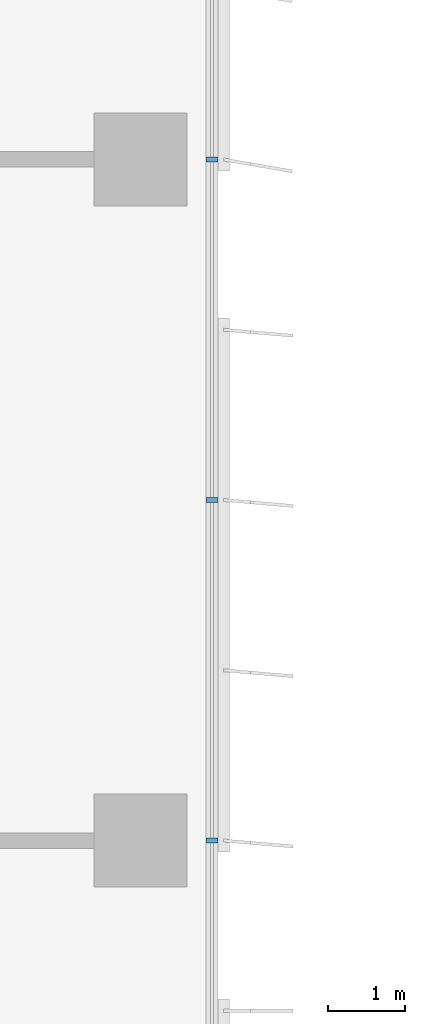
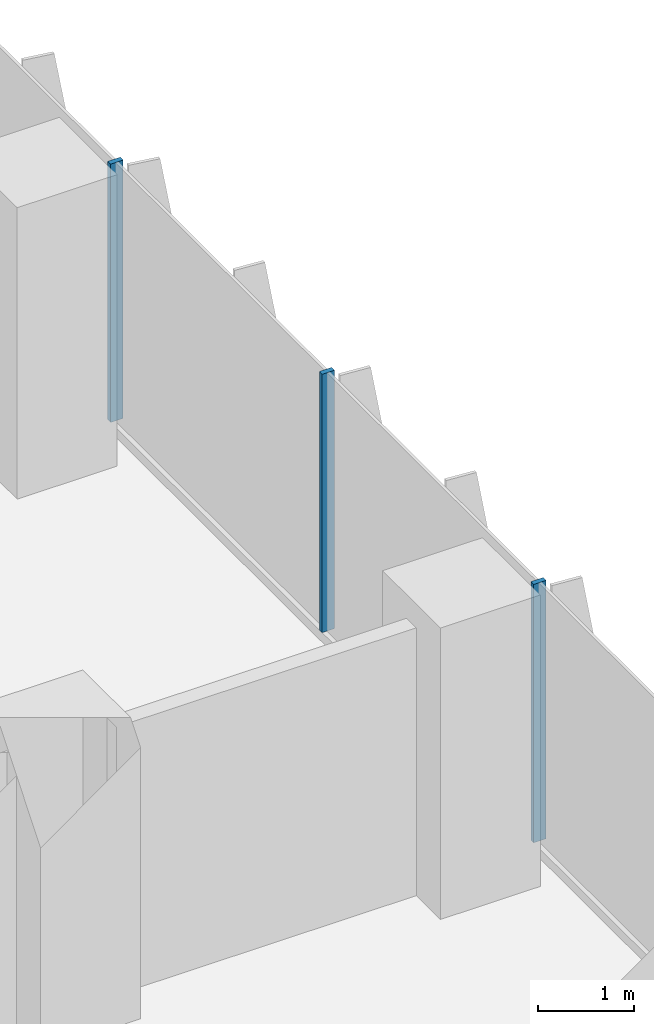
# One storey, part 7 of 23: 3 members, 1 element without a shape of its own.
"""IFC4 building model written with IfcOpenShell, lengths in metres."""

from ifc_helpers import new_model, si_unit, direction, frame, origin, origin_2d, place, context, subcontext, project, spatial, rectangle, extrude, source, transform, mapped, material, material_profile, profile_set, type_object, element, aggregate, save


model = new_model("IFC4")

# Units and contexts
model_context = context("Model", 3, precision=1e-05, world=origin(), true_north=direction((0.0, 1.0)))
body_context = subcontext(model_context, "Body", "Model", "MODEL_VIEW")
ifc_project = project(units=[si_unit("LENGTHUNIT", "METRE"), si_unit("AREAUNIT", "SQUARE_METRE"), si_unit("VOLUMEUNIT", "CUBIC_METRE"), si_unit("PLANEANGLEUNIT", "RADIAN"), si_unit("MASSUNIT", "GRAM", prefix="KILO")], contexts=[model_context])

# Site, building, storey
site_placement = place(None, origin())
site = spatial("IfcSite", under=ifc_project, at=site_placement, CompositionType="ELEMENT")
building_placement = place(site_placement, origin())
building = spatial("IfcBuilding", under=site, at=building_placement, Name="Kemantara Hotel Tower", CompositionType="ELEMENT")
storey_placement = place(building_placement, frame((0.0, 0.0, 114.800048828125)))
storey = spatial("IfcBuildingStorey", under=building, at=storey_placement, Name="L27", CompositionType="ELEMENT", Elevation=114.800048828125)

# Curtain wall, members
ifc_material_1 = material(Name="Low-E tinted double insulated glass 36 mm", Category="glass")
curtain_wall_type = type_object("IfcCurtainWallType", Name="TOWER CURTAIN WALL, FRONT FACES", PredefinedType="USERDEFINED", material=ifc_material_1)
curtain_wall_placement = place(storey_placement, origin())
curtain_wall = element("IfcCurtainWall", 1, at=curtain_wall_placement, inside=storey, type_object=curtain_wall_type, Name="CW4 L27 T2-R14-1", ObjectType="TOWER CURTAIN WALL, FRONT FACES", PredefinedType="USERDEFINED")
ifc_material_2 = material(Name="Aluminium 6063-T6 bronze anodised", Category="aluminium")
ifc_material_profile = material_profile(ifc_material_2, rectangle(XDim=0.14990234375, YDim=0.06005859375, at=origin_2d()), Name="TOWER CURTAIN WALL, FRONT FACES MULLION")
ifc_profile_set = profile_set([ifc_material_profile], Name="Aluminium 6063-T6 bronze anodised")
member_type = type_object("IfcMemberType", Name="TOWER CURTAIN WALL, FRONT FACES MULLION", PredefinedType="MULLION", material=ifc_profile_set)
shared_shape = source(origin(), body_context, "Body", "SweptSolid", [
    extrude(rectangle(XDim=0.14990234375, YDim=0.06005859375, at=origin_2d()), origin(), (0.0, 0.0, 1.0), 3.280029296875),
])
member_1_placement = place(storey_placement, frame((26.72509765625, 53.800048828125, 0.119873046875), z_axis=(0.0, 0.0, 1.0), x_axis=(-1.0, 0.0, 0.0)))
member_1 = element("IfcMember", 2, at=member_1_placement, type_object=member_type, Name="CW4 mullion T2-R14-1.9", PredefinedType="MULLION", context=body_context, shape_type="MappedRepresentation", body=[
    mapped(shared_shape, transform((0.0, 0.0, 0.0))),
])
member_2_placement = place(storey_placement, frame((26.72509765625, 58.199951171875, 0.119873046875), z_axis=(0.0, 0.0, 1.0), x_axis=(-1.0, 0.0, 0.0)))
member_2 = element("IfcMember", 3, at=member_2_placement, type_object=member_type, Name="CW4 mullion T2-R14-1.10", PredefinedType="MULLION", context=body_context, shape_type="MappedRepresentation", body=[
    mapped(shared_shape, transform((0.0, 0.0, 0.0))),
])
member_3_placement = place(storey_placement, frame((26.72509765625, 62.60009765625, 0.119873046875), z_axis=(0.0, 0.0, 1.0), x_axis=(-1.0, 0.0, 0.0)))
member_3 = element("IfcMember", 4, at=member_3_placement, type_object=member_type, Name="CW4 mullion T2-R14-1.11", PredefinedType="MULLION", context=body_context, shape_type="MappedRepresentation", body=[
    mapped(shared_shape, transform((0.0, 0.0, 0.0))),
])
aggregate(curtain_wall, [member_1, member_2, member_3])

save(model, "model.ifc")
